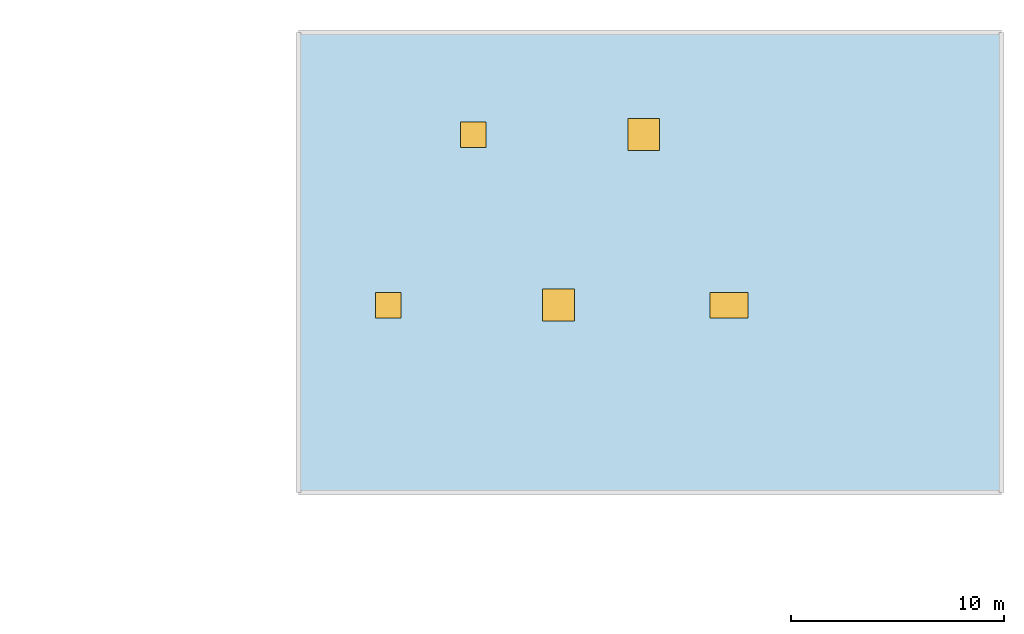
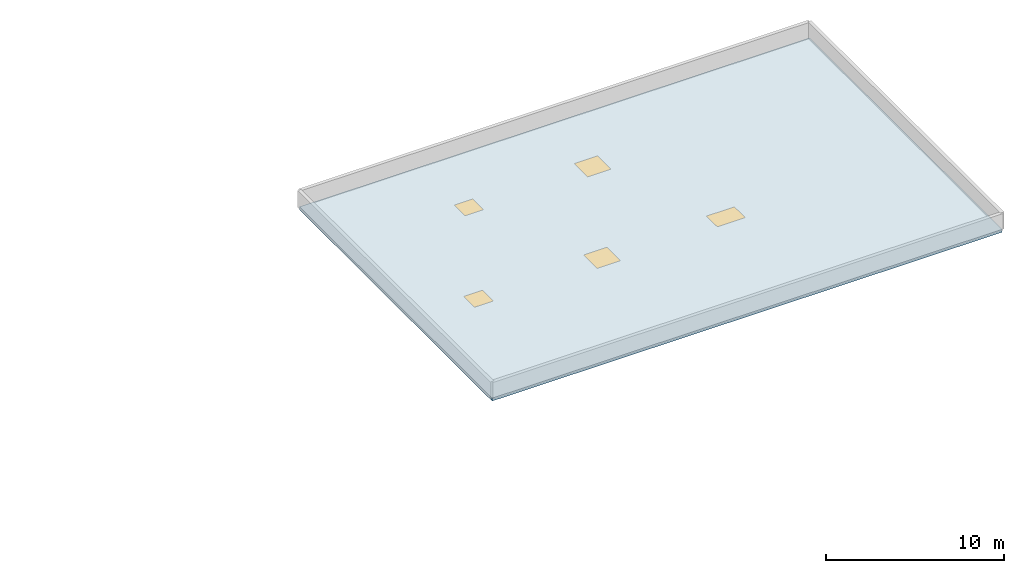
# One storey, part 11 of 18: 5 windows, 1 slab, 5 openings.
"""IFC4 building model written with IfcOpenShell, lengths in metres."""

from ifc_helpers import new_model, si_unit, direction, frame, origin, origin_2d, place, context, subcontext, project, spatial, polyline, rectangle, outline, extrude, material, layer, layer_set, type_object, element, fill, save


model = new_model("IFC4")

# Units and contexts
model_context = context("Model", 3, precision=1e-05, world=origin(), true_north=direction((0.0, 1.0)))
body_context = subcontext(model_context, "Body", "Model", "MODEL_VIEW")
ifc_project = project(units=[si_unit("LENGTHUNIT", "METRE"), si_unit("AREAUNIT", "SQUARE_METRE"), si_unit("VOLUMEUNIT", "CUBIC_METRE"), si_unit("PLANEANGLEUNIT", "RADIAN"), si_unit("MASSUNIT", "GRAM", prefix="KILO")], contexts=[model_context])

# Site, building, storey
site_placement = place(None, origin())
site = spatial("IfcSite", under=ifc_project, at=site_placement, CompositionType="ELEMENT")
building_placement = place(site_placement, origin())
building = spatial("IfcBuilding", under=site, at=building_placement, Name="Kharisveld Research Institute", CompositionType="ELEMENT")
storey_placement = place(building_placement, frame((0.0, 0.0, 36.60009765625)))
storey = spatial("IfcBuildingStorey", under=building, at=storey_placement, Name="L08", CompositionType="ELEMENT", Elevation=36.60009765625)

# Slab, openings, windows
ifc_material_1 = material(Name="Concrete C40/50", Category="concrete")
ifc_layer = layer(ifc_material_1, 0.195068359375)
ifc_layer_set = layer_set([ifc_layer], Name="SL_ROOF_195")
slab_type = type_object("IfcSlabType", Name="SL_ROOF_195", PredefinedType="ROOF", material=ifc_layer_set)
slab_placement = place(storey_placement, frame((0.0, 0.0, -0.195068359375)))
slab = element("IfcSlab", 1, at=slab_placement, inside=storey, type_object=slab_type, Name="SLAB:V2:L08:ROOF_MAIN", PredefinedType="ROOF", context=body_context, shape_type="SweptSolid", body=[
    extrude(outline(polyline([(127.800048828125, 39.199951171875), (160.800048828125, 39.199951171875), (160.800048828125, 60.800048828125), (127.800048828125, 60.800048828125), (127.800048828125, 39.199951171875)])), origin(), (0.0, 0.0, 1.0), 0.195068359375),
])
opening_1_placement = place(slab_placement, frame((132.0, 48.0, 0.0)))
opening_1 = element("IfcOpeningElement", 2, at=opening_1_placement, cuts=slab, Name="Opening SK-01", PredefinedType="OPENING", context=body_context, shape_type="SweptSolid", body=[
    extrude(rectangle(XDim=1.199951171875, YDim=1.199951171875, at=origin_2d()), origin(), (0.0, 0.0, 1.0), 0.195068359375),
])
opening_2_placement = place(slab_placement, frame((140.0, 48.0, 0.0)))
opening_2 = element("IfcOpeningElement", 3, at=opening_2_placement, cuts=slab, Name="Opening SK-02", PredefinedType="OPENING", context=body_context, shape_type="SweptSolid", body=[
    extrude(rectangle(XDim=1.5, YDim=1.5, at=origin_2d()), origin(), (0.0, 0.0, 1.0), 0.195068359375),
])
opening_3_placement = place(slab_placement, frame((148.0, 48.0, 0.0)))
opening_3 = element("IfcOpeningElement", 4, at=opening_3_placement, cuts=slab, Name="Opening SK-03", PredefinedType="OPENING", context=body_context, shape_type="SweptSolid", body=[
    extrude(rectangle(XDim=1.800048828125, YDim=1.199951171875, at=origin_2d()), origin(), (0.0, 0.0, 1.0), 0.195068359375),
])
opening_4_placement = place(slab_placement, frame((136.0, 56.0, 0.0)))
opening_4 = element("IfcOpeningElement", 5, at=opening_4_placement, cuts=slab, Name="Opening SK-01", PredefinedType="OPENING", context=body_context, shape_type="SweptSolid", body=[
    extrude(rectangle(XDim=1.199951171875, YDim=1.199951171875, at=origin_2d()), origin(), (0.0, 0.0, 1.0), 0.195068359375),
])
opening_5_placement = place(slab_placement, frame((144.0, 56.0, 0.0)))
opening_5 = element("IfcOpeningElement", 6, at=opening_5_placement, cuts=slab, Name="Opening SK-02", PredefinedType="OPENING", context=body_context, shape_type="SweptSolid", body=[
    extrude(rectangle(XDim=1.5, YDim=1.5, at=origin_2d()), origin(), (0.0, 0.0, 1.0), 0.195068359375),
])
ifc_material_2 = material(Name="Low-E Double Glazing", Category="glass")
window_type_1 = type_object("IfcWindowType", Name="SK_01", PartitioningType="SINGLE_PANEL", PredefinedType="SKYLIGHT", material=ifc_material_2)
window_1_placement = place(opening_1_placement, frame((0.0, 0.0, 0.14501953125)))
window_1 = element("IfcWindow", 7, at=window_1_placement, inside=storey, type_object=window_type_1, Name="WN:V2:L08:HATCH_1", OverallHeight=1.199951171875, OverallWidth=1.199951171875, PartitioningType="SINGLE_PANEL", PredefinedType="SKYLIGHT", context=body_context, shape_type="SweptSolid", body=[
    extrude(rectangle(XDim=1.199951171875, YDim=1.199951171875, at=origin_2d()), origin(), (0.0, 0.0, 1.0), 0.050048828125),
])
fill(opening_1, window_1)
window_2_placement = place(opening_4_placement, frame((0.0, 0.0, 0.14501953125)))
window_2 = element("IfcWindow", 8, at=window_2_placement, inside=storey, type_object=window_type_1, Name="WN:V2:L08:HATCH_4", OverallHeight=1.199951171875, OverallWidth=1.199951171875, PartitioningType="SINGLE_PANEL", PredefinedType="SKYLIGHT", context=body_context, shape_type="SweptSolid", body=[
    extrude(rectangle(XDim=1.199951171875, YDim=1.199951171875, at=origin_2d()), origin(), (0.0, 0.0, 1.0), 0.050048828125),
])
fill(opening_4, window_2)
ifc_material_3 = material(Name="Low-E Double Glazing", Category="glass")
window_type_2 = type_object("IfcWindowType", Name="SK_02", PartitioningType="SINGLE_PANEL", PredefinedType="SKYLIGHT", material=ifc_material_3)
window_3_placement = place(opening_2_placement, frame((0.0, 0.0, 0.14501953125)))
window_3 = element("IfcWindow", 9, at=window_3_placement, inside=storey, type_object=window_type_2, Name="WN:V2:L08:HATCH_2", OverallHeight=1.5, OverallWidth=1.5, PartitioningType="SINGLE_PANEL", PredefinedType="SKYLIGHT", context=body_context, shape_type="SweptSolid", body=[
    extrude(rectangle(XDim=1.5, YDim=1.5, at=origin_2d()), origin(), (0.0, 0.0, 1.0), 0.050048828125),
])
fill(opening_2, window_3)
window_4_placement = place(opening_5_placement, frame((0.0, 0.0, 0.14501953125)))
window_4 = element("IfcWindow", 10, at=window_4_placement, inside=storey, type_object=window_type_2, Name="WN:V2:L08:HATCH_5", OverallHeight=1.5, OverallWidth=1.5, PartitioningType="SINGLE_PANEL", PredefinedType="SKYLIGHT", context=body_context, shape_type="SweptSolid", body=[
    extrude(rectangle(XDim=1.5, YDim=1.5, at=origin_2d()), origin(), (0.0, 0.0, 1.0), 0.050048828125),
])
fill(opening_5, window_4)
ifc_material_4 = material(Name="Low-E Double Glazing", Category="glass")
window_type_3 = type_object("IfcWindowType", Name="SK_03", PartitioningType="DOUBLE_PANEL_HORIZONTAL", PredefinedType="SKYLIGHT", material=ifc_material_4)
window_5_placement = place(opening_3_placement, frame((0.0, 0.0, 0.14501953125)))
window_5 = element("IfcWindow", 11, at=window_5_placement, inside=storey, type_object=window_type_3, Name="WN:V2:L08:HATCH_3", OverallHeight=1.199951171875, OverallWidth=1.800048828125, PartitioningType="SINGLE_PANEL", PredefinedType="SKYLIGHT", context=body_context, shape_type="SweptSolid", body=[
    extrude(rectangle(XDim=1.800048828125, YDim=1.199951171875, at=origin_2d()), origin(), (0.0, 0.0, 1.0), 0.050048828125),
])
fill(opening_3, window_5)

save(model, "model.ifc")
